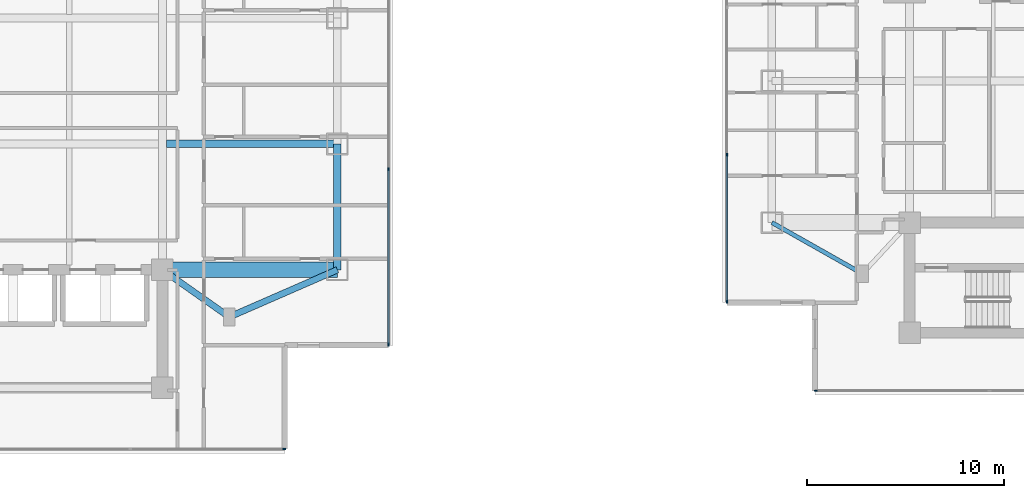
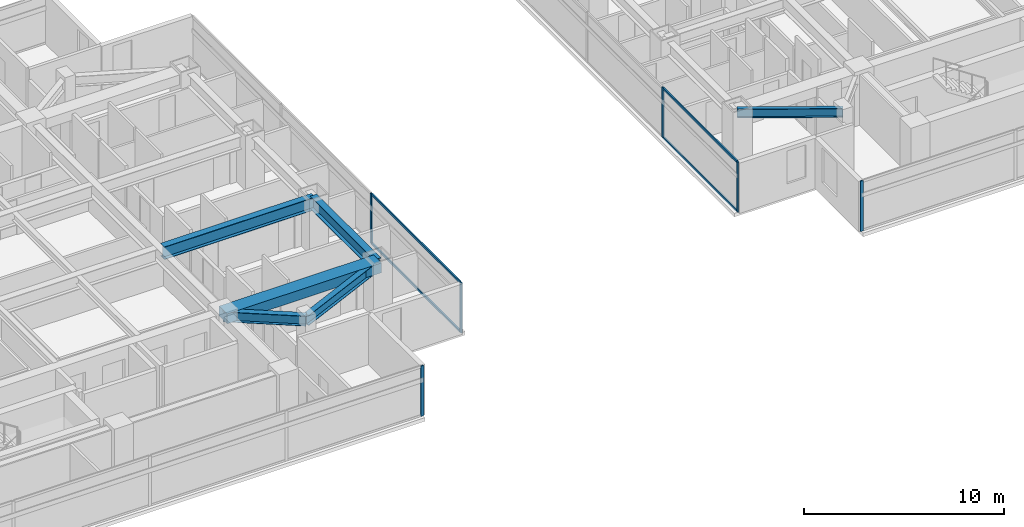
# One storey, part 4 of 25: 10 members, 6 beams, 4 elements without a shape of their own.
"""IFC4 building model written with IfcOpenShell, lengths in metres."""

import ifcopenshell
import ifcopenshell.guid

model = None  # the IFC model being written
_history = None  # IfcOwnerHistory: only IFC2X3 demands one
_inside = {}  # id of a spatial element -> (the spatial element, [elements in it])
_under = {}  # id of a project, library or spatial element -> (it, [spatial elements below it])
_declared = {}  # id of a project -> (the project, [libraries it declares])
_typed = {}  # id of a type object -> (the type object, [elements of that type])
_made_of = {}  # id of a material, layer set ... -> (it, [elements and type objects made of it])


def new_model(schema):
    """Start an empty IFC model of exactly this schema.

    Asked for "IFC4X3", IfcOpenShell would pick the latest addendum, in which some entities
    have other attributes; the version numbers below select the first issue.
    IFC2X3 requires an IfcOwnerHistory on every rooted entity: one is made here for all.
    """
    global model, _history
    if schema == "IFC4X3":
        model = ifcopenshell.file(schema_version=(4, 3, 0, 0))
    else:
        model = ifcopenshell.file(schema=schema)
    _inside.clear()
    _under.clear()
    _declared.clear()
    _typed.clear()
    _made_of.clear()
    _history = None
    if model.schema == "IFC2X3":
        org = make("IfcOrganization", Name="unknown")
        user = make(
            "IfcPersonAndOrganization",
            ThePerson=make("IfcPerson", FamilyName="unknown"),
            TheOrganization=org,
        )
        app = make(
            "IfcApplication",
            ApplicationDeveloper=org,
            Version="unknown",
            ApplicationFullName="unknown",
            ApplicationIdentifier="unknown",
        )
        _history = make(
            "IfcOwnerHistory",
            OwningUser=user,
            OwningApplication=app,
            ChangeAction="ADDED",
            CreationDate=0,
        )
    return model


def make(cls, **values):
    """One entity of the class cls with the attributes given. An attribute that is None is left unset."""
    return model.create_entity(
        cls, **{name: value for name, value in values.items() if value is not None}
    )


def rooted(cls, **values):
    """An entity with a GlobalId (a new one), such as an element, a storey or a relation."""
    return make(cls, GlobalId=ifcopenshell.guid.new(), OwnerHistory=_history, **values)


def si_unit(unit_type, name, prefix=None):
    """IfcSIUnit, for example si_unit("LENGTHUNIT", "METRE", prefix="MILLI")."""
    return make("IfcSIUnit", UnitType=unit_type, Prefix=prefix, Name=name)


def assignment(units):
    """IfcUnitAssignment: the units of a project."""
    return None if units is None else make("IfcUnitAssignment", Units=units)


def point(xyz):
    """IfcCartesianPoint."""
    return None if xyz is None else make("IfcCartesianPoint", Coordinates=xyz)


def direction(xyz):
    """IfcDirection."""
    return None if xyz is None else make("IfcDirection", DirectionRatios=xyz)


def frame(location, z_axis=None, x_axis=None):
    """IfcAxis2Placement3D, a coordinate frame: its origin and axes. An axis left out is left unset."""
    return make(
        "IfcAxis2Placement3D",
        Location=point(location),
        Axis=direction(z_axis),
        RefDirection=direction(x_axis),
    )


def frame_2d(location, x_axis=None):
    """IfcAxis2Placement2D, a coordinate frame in the plane: its origin and x axis."""
    return make(
        "IfcAxis2Placement2D", Location=point(location), RefDirection=direction(x_axis)
    )


def origin():
    """The frame at (0, 0, 0) with its axes left unset."""
    return frame((0.0, 0.0, 0.0))


def origin_2d():
    """The frame at (0, 0) in the plane with its x axis left unset."""
    return frame_2d((0.0, 0.0))


def place(relative_to, where):
    """IfcLocalPlacement: puts the frame where relative to a parent placement (None: the world)."""
    return make(
        "IfcLocalPlacement", PlacementRelTo=relative_to, RelativePlacement=where
    )


def context(
    kind, dimensions, precision=None, world=None, true_north=None, identifier=None
):
    """IfcGeometricRepresentationContext, for example the 3D "Model" context."""
    return make(
        "IfcGeometricRepresentationContext",
        ContextIdentifier=identifier,
        ContextType=kind,
        CoordinateSpaceDimension=dimensions,
        Precision=precision,
        WorldCoordinateSystem=world,
        TrueNorth=true_north,
    )


def subcontext(parent, identifier, kind, view, scale=None):
    """IfcGeometricRepresentationSubContext, for example "Body" below "Model"."""
    return make(
        "IfcGeometricRepresentationSubContext",
        ContextIdentifier=identifier,
        ContextType=kind,
        ParentContext=parent,
        TargetScale=scale,
        TargetView=view,
    )


def project(units=None, contexts=None):
    """IfcProject with its units and contexts."""
    return rooted(
        "IfcProject",
        Name="project",
        RepresentationContexts=contexts,
        UnitsInContext=assignment(units),
    )


def spatial(cls, under=None, at=None, **own):
    """A site, building, storey or space (cls), placed at a placement, below another one or the project."""
    s = rooted(cls, ObjectPlacement=at, **own)
    if under is not None:
        _under.setdefault(under.id(), (under, []))[1].append(s)
    return s


def profile(cls, at=None, kind="AREA", **sizes):
    """A parametric profile (cls). Its sizes go by their IFC names, for example OverallWidth=200.0."""
    return make(cls, ProfileType=kind, Position=at, **sizes)


def rectangle(**sizes):
    """IfcRectangleProfileDef."""
    return profile("IfcRectangleProfileDef", **sizes)


def i_section(**sizes):
    """IfcIShapeProfileDef."""
    return profile("IfcIShapeProfileDef", **sizes)


def extrude(swept, where, along, depth):
    """IfcExtrudedAreaSolid: the profile swept, set in the frame where, extruded along a direction by depth."""
    return make(
        "IfcExtrudedAreaSolid",
        SweptArea=swept,
        Position=where,
        ExtrudedDirection=direction(along),
        Depth=depth,
    )


def shape(context_of_items, identifier, shape_type, items):
    """IfcShapeRepresentation: the items that make up one representation, for example the "Body"."""
    return make(
        "IfcShapeRepresentation",
        ContextOfItems=context_of_items,
        RepresentationIdentifier=identifier,
        RepresentationType=shape_type,
        Items=items,
    )


def material(Name=None, Category=None):
    """IfcMaterial."""
    return make("IfcMaterial", Name=Name, Category=Category)


def material_profile(
    of_material, cross_section, Name=None, Category=None, Priority=None
):
    """IfcMaterialProfile: a cross section and its material."""
    return make(
        "IfcMaterialProfile",
        Name=Name,
        Material=of_material,
        Profile=cross_section,
        Priority=Priority,
        Category=Category,
    )


def profile_set(profiles, Name=None, composite=None):
    """IfcMaterialProfileSet."""
    return make(
        "IfcMaterialProfileSet",
        Name=Name,
        MaterialProfiles=profiles,
        CompositeProfile=composite,
    )


def made_of(thing, what):
    """Note that an element or type object is made of a material, layer set ...; save() writes the relation."""
    if what is not None:
        _made_of.setdefault(what.id(), (what, []))[1].append(thing)
    return thing


def type_object(cls, material=None, **own):
    """A type object (cls), such as IfcWallType, which elements share."""
    return made_of(rooted(cls, **own), material)


def element(
    cls,
    number,
    at=None,
    inside=None,
    cuts=None,
    type_object=None,
    material=None,
    context=None,
    identifier="Body",
    shape_type=None,
    held_by="IfcProductDefinitionShape",
    body=None,
    shapes=None,
    **own,
):
    """One element of the class cls, such as IfcWall. Its Tag is "e" and its number.

    at: its placement. inside: the storey or other place that contains it. cuts: it is an
    opening in that element (IfcRelVoidsElement). A single representation is given by context,
    identifier, shape_type and body (its items); several are given by shapes. held_by: the class
    of the entity that holds the representations. save() writes the other relations.
    """
    e = rooted(cls, Tag="e%d" % number, ObjectPlacement=at, **own)
    if body is not None:
        shapes = [shape(context, identifier, shape_type, body)]
    if shapes is not None:
        e.Representation = make(held_by, Representations=shapes)
    if inside is not None:
        _inside.setdefault(inside.id(), (inside, []))[1].append(e)
    if cuts is not None:
        rooted(
            "IfcRelVoidsElement", RelatingBuildingElement=cuts, RelatedOpeningElement=e
        )
    if type_object is not None:
        _typed.setdefault(type_object.id(), (type_object, []))[1].append(e)
    return made_of(e, material)


def aggregate(whole, parts):
    """IfcRelAggregates: a whole, such as a stair, and the parts it consists of."""
    return rooted("IfcRelAggregates", RelatingObject=whole, RelatedObjects=parts)


def save(model, path):
    """Write the relations noted so far, then the file.

    IfcRelAggregates (storeys below a building ...), IfcRelContainedInSpatialStructure (elements
    in a storey), IfcRelDefinesByType, IfcRelAssociatesMaterial and IfcRelDeclares: one each for
    every whole, place, type object, material and project.
    """
    for whole, parts in _under.values():
        aggregate(whole, parts)
    for where, things in _inside.values():
        rooted(
            "IfcRelContainedInSpatialStructure",
            RelatedElements=things,
            RelatingStructure=where,
        )
    for kind, things in _typed.values():
        rooted("IfcRelDefinesByType", RelatedObjects=things, RelatingType=kind)
    for what, things in _made_of.values():
        rooted("IfcRelAssociatesMaterial", RelatedObjects=things, RelatingMaterial=what)
    for by, libraries in _declared.values():
        rooted("IfcRelDeclares", RelatingContext=by, RelatedDefinitions=libraries)
    model.write(path)


model = new_model("IFC4")

# Units and contexts
model_context = context("Model", 3, precision=1e-05, world=origin(), true_north=direction((0.0, 1.0)))
body_context = subcontext(model_context, "Body", "Model", "MODEL_VIEW")
ifc_project = project(units=[si_unit("LENGTHUNIT", "METRE"), si_unit("AREAUNIT", "SQUARE_METRE"), si_unit("VOLUMEUNIT", "CUBIC_METRE"), si_unit("PLANEANGLEUNIT", "RADIAN"), si_unit("MASSUNIT", "GRAM", prefix="KILO")], contexts=[model_context])

# Site, building, storey
site_placement = place(None, origin())
site = spatial("IfcSite", under=ifc_project, at=site_placement, CompositionType="ELEMENT")
building_placement = place(site_placement, origin())
building = spatial("IfcBuilding", under=site, at=building_placement, Name="Mirazonda Arch Towers", CompositionType="ELEMENT")
storey_placement = place(building_placement, frame((0.0, 0.0, 131.300048828125)))
storey = spatial("IfcBuildingStorey", under=building, at=storey_placement, Name="L37", CompositionType="ELEMENT", Elevation=131.300048828125)

# Beams
ifc_material_1 = material(Name="Steel ASTM A992 Grade 50", Category="steel")
ifc_material_profile_1 = material_profile(ifc_material_1, i_section(OverallWidth=0.381103515625, OverallDepth=0.77294921875, WebThickness=0.0166015625, FlangeThickness=0.027099609375, at=origin_2d()), Name="W30X173")
ifc_profile_set_1 = profile_set([ifc_material_profile_1], Name="Steel ASTM A992 Grade 50")
beam_type_1 = type_object("IfcBeamType", Name="BM-EXT-W30X173", PredefinedType="USERDEFINED", material=ifc_profile_set_1)
beam_1_placement = place(storey_placement, frame((38.89990234375, 18.39990234375, 2.693359375), z_axis=(0.0, 1.0, 0.0), x_axis=(-1.0, 0.0, 0.0)))
element("IfcBeam", 1, at=beam_1_placement, inside=storey, type_object=beam_type_1, Name="L37 Floor Beam BM-T1-L37-NS-E-18", ObjectType="GIRDER", PredefinedType="USERDEFINED", context=body_context, shape_type="SweptSolid", body=[
    extrude(i_section(OverallWidth=0.381103515625, OverallDepth=0.77294921875, WebThickness=0.0166015625, FlangeThickness=0.027099609375, at=origin_2d()), origin(), (0.0, 0.0, 1.0), 6.400146484375),
])
ifc_material_profile_2 = material_profile(ifc_material_1, i_section(OverallWidth=0.214111328125, OverallDepth=0.549072265625, WebThickness=0.0146484375, FlangeThickness=0.023681640625, at=origin_2d()), Name="W21X93")
ifc_profile_set_2 = profile_set([ifc_material_profile_2], Name="Steel ASTM A992 Grade 50")
beam_type_2 = type_object("IfcBeamType", Name="BM-INT-W21X93", PredefinedType="BEAM", material=ifc_profile_set_2)
beam_2_placement = place(storey_placement, frame((65.60009765625, 18.199951171875, 2.805419921875), z_axis=(-0.870559396632, 0.492063346467, 0.0), x_axis=(-0.492063346467, -0.870559396632, 0.0)))
element("IfcBeam", 2, at=beam_2_placement, inside=storey, type_object=beam_type_2, Name="L37 Floor Beam BM-T2-L37-PL-SW2", PredefinedType="BEAM", context=body_context, shape_type="SweptSolid", body=[
    extrude(i_section(OverallWidth=0.214111328125, OverallDepth=0.549072265625, WebThickness=0.0146484375, FlangeThickness=0.023681640625, at=origin_2d()), origin(), (0.0, 0.0, 1.0), 5.2841796875),
])
ifc_material_profile_3 = material_profile(ifc_material_1, i_section(OverallWidth=0.324951171875, OverallDepth=0.615966796875, WebThickness=0.013916015625, FlangeThickness=0.021484375, at=origin_2d()), Name="W24X117")
ifc_profile_set_3 = profile_set([ifc_material_profile_3], Name="Steel ASTM A992 Grade 50")
beam_type_3 = type_object("IfcBeamType", Name="BM-INT-W24X117", PredefinedType="BEAM", material=ifc_profile_set_3)
beam_3_placement = place(storey_placement, frame((33.39990234375, 16.0, 2.77197265625), z_axis=(-0.816971114901, 0.576678591087, 0.0), x_axis=(-0.576678591087, -0.816971114901, 0.0)))
element("IfcBeam", 3, at=beam_3_placement, inside=storey, type_object=beam_type_3, Name="L37 Floor Beam BM-T1-L37-PL-SE1", PredefinedType="BEAM", context=body_context, shape_type="SweptSolid", body=[
    extrude(i_section(OverallWidth=0.324951171875, OverallDepth=0.615966796875, WebThickness=0.013916015625, FlangeThickness=0.021484375, at=origin_2d()), origin(), (0.0, 0.0, 1.0), 4.16162109375),
])
beam_4_placement = place(storey_placement, frame((33.39990234375, 16.0, 2.77197265625), z_axis=(0.916545343703, 0.399930785183, 0.0), x_axis=(-0.399930785183, 0.916545343703, 0.0)))
element("IfcBeam", 4, at=beam_4_placement, inside=storey, type_object=beam_type_3, Name="L37 Floor Beam BM-T1-L37-PL-SE2", PredefinedType="BEAM", context=body_context, shape_type="SweptSolid", body=[
    extrude(i_section(OverallWidth=0.324951171875, OverallDepth=0.615966796875, WebThickness=0.013916015625, FlangeThickness=0.021484375, at=origin_2d()), origin(), (0.0, 0.0, 1.0), 6.000732421875),
])
ifc_material_profile_4 = material_profile(ifc_material_1, i_section(OverallWidth=0.381103515625, OverallDepth=0.77294921875, WebThickness=0.0166015625, FlangeThickness=0.027099609375, at=origin_2d()), Name="W30X173")
ifc_profile_set_4 = profile_set([ifc_material_profile_4], Name="Steel ASTM A992 Grade 50")
beam_type_4 = type_object("IfcBeamType", Name="BM-INT-W30X173", PredefinedType="USERDEFINED", material=ifc_profile_set_4)
beam_5_placement = place(storey_placement, frame((30.199951171875, 24.800048828125, 2.693359375), z_axis=(1.0, 0.0, 0.0), x_axis=(0.0, 1.0, 0.0)))
element("IfcBeam", 5, at=beam_5_placement, inside=storey, type_object=beam_type_4, Name="L37 Floor Beam BM-T1-L37-GE2", ObjectType="GIRDER", PredefinedType="USERDEFINED", context=body_context, shape_type="SweptSolid", body=[
    extrude(i_section(OverallWidth=0.381103515625, OverallDepth=0.77294921875, WebThickness=0.0166015625, FlangeThickness=0.027099609375, at=origin_2d()), origin(), (0.0, 0.0, 1.0), 8.699951171875),
])
ifc_material_2 = material(Name="Concrete C60/75", Category="concrete")
ifc_material_profile_5 = material_profile(ifc_material_2, rectangle(XDim=0.800048828125, YDim=0.60009765625, at=origin_2d()), Name="RCCB800x600")
ifc_profile_set_5 = profile_set([ifc_material_profile_5], Name="Concrete C60/75")
beam_type_5 = type_object("IfcBeamType", Name="CB-INT-RCCB800x600", PredefinedType="SPANDREL", material=ifc_profile_set_5)
beam_6_placement = place(storey_placement, frame((30.0, 18.39990234375, 2.780029296875), z_axis=(1.0, 0.0, 0.0), x_axis=(0.0, 1.0, 0.0)))
element("IfcBeam", 6, at=beam_6_placement, inside=storey, type_object=beam_type_5, Name="L37 Floor Beam CBC-T1-L37-SE", PredefinedType="SPANDREL", context=body_context, shape_type="SweptSolid", body=[
    extrude(rectangle(XDim=0.800048828125, YDim=0.60009765625, at=origin_2d()), origin(), (0.0, 0.0, 1.0), 8.89990234375),
])

# Curtain wall, member
ifc_material_3 = material(Name="Anodised Aluminium and Low-E Glass", Category="aluminium")
curtain_wall_type = type_object("IfcCurtainWallType", Name="CW-HTL-UNIT", PredefinedType="NOTDEFINED", material=ifc_material_3)
curtain_wall_1_placement = place(storey_placement, origin())
curtain_wall_1 = element("IfcCurtainWall", 7, at=curtain_wall_1_placement, inside=storey, type_object=curtain_wall_type, Name="L37 T1 S Facade CW-L37-T1-S", PredefinedType="NOTDEFINED")
ifc_material_4 = material(Name="Anodised Aluminium Alloy", Category="aluminium")
ifc_material_profile_6 = material_profile(ifc_material_4, rectangle(XDim=0.074951171875, YDim=0.1650390625, at=origin_2d()), Name="ALU-MULL-75x165")
ifc_profile_set_6 = profile_set([ifc_material_profile_6], Name="Anodised Aluminium Alloy")
member_type_1 = type_object("IfcMemberType", Name="MULL-CW-HTL-UNIT", PredefinedType="MULLION", material=ifc_profile_set_6)
member_1_placement = place(storey_placement, frame((36.1923828125, 9.2880859375, 0.0), z_axis=(0.0, 0.0, 1.0), x_axis=(0.0, -1.0, 0.0)))
member_1 = element("IfcMember", 8, at=member_1_placement, type_object=member_type_1, Name="CW-112 mullion 1", PredefinedType="MULLION", context=body_context, shape_type="SweptSolid", body=[
    extrude(rectangle(XDim=0.074951171875, YDim=0.1650390625, at=origin_2d()), origin(), (0.0, 0.0, 1.0), 3.06005859375),
])
aggregate(curtain_wall_1, [member_1])

# Curtain wall, members
curtain_wall_2_placement = place(storey_placement, origin())
curtain_wall_2 = element("IfcCurtainWall", 9, at=curtain_wall_2_placement, inside=storey, type_object=curtain_wall_type, Name="L37 T1 E Facade CW-L37-T1-E", PredefinedType="NOTDEFINED")
member_2_placement = place(storey_placement, frame((41.5, 14.595458984375, 0.0), z_axis=(0.0, 0.0, 1.0), x_axis=(-1.0, 0.0, 0.0)))
member_2 = element("IfcMember", 10, at=member_2_placement, type_object=member_type_1, Name="CW-112 mullion 1", PredefinedType="MULLION", context=body_context, shape_type="SweptSolid", body=[
    extrude(rectangle(XDim=0.074951171875, YDim=0.1650390625, at=origin_2d()), origin(), (0.0, 0.0, 1.0), 3.06005859375),
])
member_3_placement = place(storey_placement, frame((41.5, 23.519287109375, 0.0), z_axis=(0.0, 0.0, 1.0), x_axis=(-1.0, 0.0, 0.0)))
member_3 = element("IfcMember", 11, at=member_3_placement, type_object=member_type_1, Name="CW-112 mullion 2", PredefinedType="MULLION", context=body_context, shape_type="SweptSolid", body=[
    extrude(rectangle(XDim=0.074951171875, YDim=0.1650390625, at=origin_2d()), origin(), (0.0, 0.0, 1.0), 3.06005859375),
])

# Curtain wall, member
curtain_wall_3_placement = place(storey_placement, origin())
curtain_wall_3 = element("IfcCurtainWall", 12, at=curtain_wall_3_placement, inside=storey, type_object=curtain_wall_type, Name="L37 T2 S Facade CW-L37-T2-S", PredefinedType="NOTDEFINED")
member_4_placement = place(storey_placement, frame((63.22705078125, 12.247802734375, 0.0), z_axis=(0.0, 0.0, 1.0), x_axis=(0.0, -1.0, 0.0)))
member_4 = element("IfcMember", 13, at=member_4_placement, type_object=member_type_1, Name="CW-112 mullion 4", PredefinedType="MULLION", context=body_context, shape_type="SweptSolid", body=[
    extrude(rectangle(XDim=0.074951171875, YDim=0.1650390625, at=origin_2d()), origin(), (0.0, 0.0, 1.0), 3.06005859375),
])
aggregate(curtain_wall_3, [member_4])

# Curtain wall, members
curtain_wall_4_placement = place(storey_placement, origin())
curtain_wall_4 = element("IfcCurtainWall", 14, at=curtain_wall_4_placement, inside=storey, type_object=curtain_wall_type, Name="L37 T2 W Facade CW-L37-T2-W", PredefinedType="NOTDEFINED")
member_5_placement = place(storey_placement, frame((58.702880859375, 24.244873046875, 0.0), z_axis=(0.0, 0.0, 1.0), x_axis=(1.0, 0.0, 0.0)))
member_5 = element("IfcMember", 15, at=member_5_placement, type_object=member_type_1, Name="CW-112 mullion 3", PredefinedType="MULLION", context=body_context, shape_type="SweptSolid", body=[
    extrude(rectangle(XDim=0.074951171875, YDim=0.1650390625, at=origin_2d()), origin(), (0.0, 0.0, 1.0), 3.06005859375),
])
member_6_placement = place(storey_placement, frame((58.702880859375, 16.771728515625, 0.0), z_axis=(0.0, 0.0, 1.0), x_axis=(1.0, 0.0, 0.0)))
member_6 = element("IfcMember", 16, at=member_6_placement, type_object=member_type_1, Name="CW-112 mullion 4", PredefinedType="MULLION", context=body_context, shape_type="SweptSolid", body=[
    extrude(rectangle(XDim=0.074951171875, YDim=0.1650390625, at=origin_2d()), origin(), (0.0, 0.0, 1.0), 3.06005859375),
])

# Member
ifc_material_profile_7 = material_profile(ifc_material_4, rectangle(XDim=0.074951171875, YDim=0.14501953125, at=origin_2d()), Name="ALU-TRAN-75x145")
ifc_profile_set_7 = profile_set([ifc_material_profile_7], Name="Anodised Aluminium Alloy")
member_type_2 = type_object("IfcMemberType", Name="TRAN-CW-HTL-UNIT", PredefinedType="USERDEFINED", material=ifc_profile_set_7)
member_7_placement = place(storey_placement, frame((41.5, 14.633056640625, 0.037353515625), z_axis=(0.0, 1.0, 0.0), x_axis=(-1.0, 0.0, 0.0)))
member_7 = element("IfcMember", 17, at=member_7_placement, type_object=member_type_2, Name="CW-112 transom 1.1", ObjectType="TRANSOM", PredefinedType="USERDEFINED", context=body_context, shape_type="SweptSolid", body=[
    extrude(rectangle(XDim=0.074951171875, YDim=0.14501953125, at=origin_2d()), origin(), (0.0, 0.0, 1.0), 8.848876953125),
])

member_8_placement = place(storey_placement, frame((41.5, 14.633056640625, 3.0224609375), z_axis=(0.0, 1.0, 0.0), x_axis=(-1.0, 0.0, 0.0)))
member_8 = element("IfcMember", 18, at=member_8_placement, type_object=member_type_2, Name="CW-112 transom 1.2", ObjectType="TRANSOM", PredefinedType="USERDEFINED", context=body_context, shape_type="SweptSolid", body=[
    extrude(rectangle(XDim=0.074951171875, YDim=0.14501953125, at=origin_2d()), origin(), (0.0, 0.0, 1.0), 8.848876953125),
])

aggregate(curtain_wall_2, [member_2, member_3, member_7, member_8])

member_9_placement = place(storey_placement, frame((58.702880859375, 24.207275390625, 0.037353515625), z_axis=(0.0, -1.0, 0.0), x_axis=(1.0, 0.0, 0.0)))
member_9 = element("IfcMember", 19, at=member_9_placement, type_object=member_type_2, Name="CW-112 transom 3.1", ObjectType="TRANSOM", PredefinedType="USERDEFINED", context=body_context, shape_type="SweptSolid", body=[
    extrude(rectangle(XDim=0.074951171875, YDim=0.14501953125, at=origin_2d()), origin(), (0.0, 0.0, 1.0), 7.39794921875),
])

member_10_placement = place(storey_placement, frame((58.702880859375, 24.207275390625, 3.0224609375), z_axis=(0.0, -1.0, 0.0), x_axis=(1.0, 0.0, 0.0)))
member_10 = element("IfcMember", 20, at=member_10_placement, type_object=member_type_2, Name="CW-112 transom 3.2", ObjectType="TRANSOM", PredefinedType="USERDEFINED", context=body_context, shape_type="SweptSolid", body=[
    extrude(rectangle(XDim=0.074951171875, YDim=0.14501953125, at=origin_2d()), origin(), (0.0, 0.0, 1.0), 7.39794921875),
])

aggregate(curtain_wall_4, [member_5, member_6, member_9, member_10])

save(model, "model.ifc")
